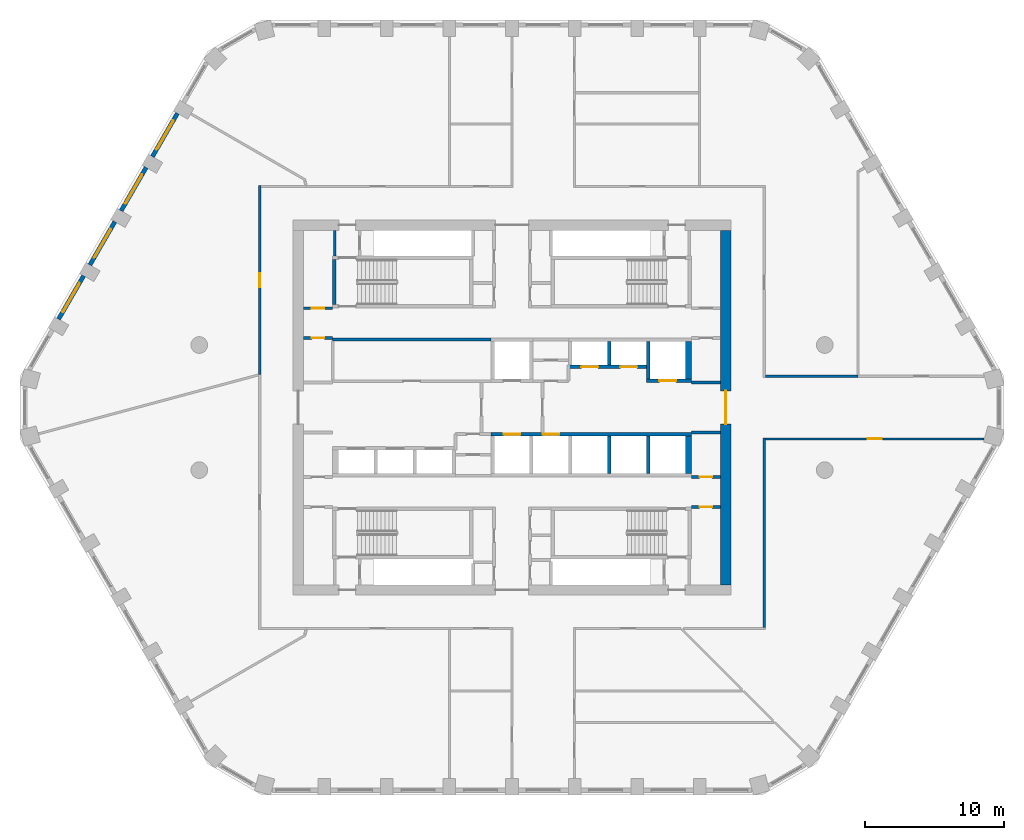
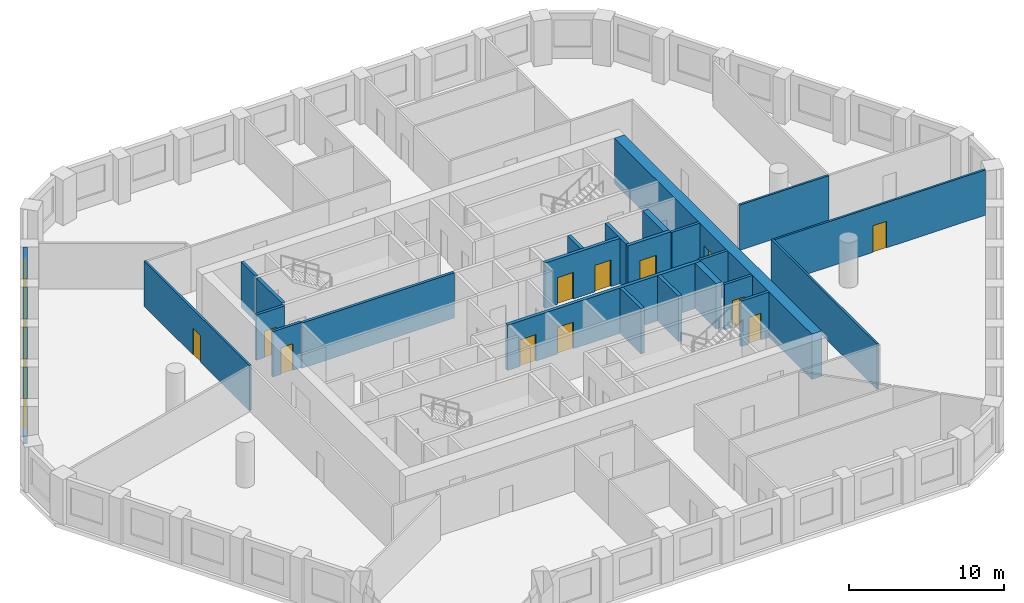
# One storey, part 5 of 9: 27 walls, 12 doors, 4 windows, 16 openings.
"""IFC4 building model written with IfcOpenShell, lengths in metres."""

from ifc_helpers import new_model, si_unit, direction, frame, frame_2d, origin, place, context, subcontext, project, spatial, polyline, rectangle, outline, extrude, material, layer, layer_set, type_object, element, fill, save


model = new_model("IFC4")

# Units and contexts
model_context = context("Model", 3, precision=1e-05, world=origin(), true_north=direction((0.0, 1.0)))
body_context = subcontext(model_context, "Body", "Model", "MODEL_VIEW")
ifc_project = project(units=[si_unit("LENGTHUNIT", "METRE"), si_unit("AREAUNIT", "SQUARE_METRE"), si_unit("VOLUMEUNIT", "CUBIC_METRE"), si_unit("PLANEANGLEUNIT", "RADIAN"), si_unit("MASSUNIT", "GRAM", prefix="KILO")], contexts=[model_context])

# Site, building, storey
site_placement = place(None, origin())
site = spatial("IfcSite", under=ifc_project, at=site_placement, CompositionType="ELEMENT")
building_placement = place(site_placement, origin())
building = spatial("IfcBuilding", under=site, at=building_placement, Name="Dhurran Vertical Campus", CompositionType="ELEMENT")
storey_placement = place(building_placement, frame((0.0, 0.0, 167.699951171875)))
storey = spatial("IfcBuildingStorey", under=building, at=storey_placement, Name="L41", CompositionType="ELEMENT", Elevation=167.699951171875)

# Wall, opening, window
ifc_material_1 = material(Name="Precast concrete C50/60", Category="concrete")
ifc_layer_1 = layer(ifc_material_1, 0.300048828125)
ifc_layer_set_1 = layer_set([ifc_layer_1], Name="Precast concrete C50/60")
wall_type_1 = type_object("IfcWallType", Name="Precast spandrel wall 300", PredefinedType="SOLIDWALL", material=ifc_layer_set_1)
wall_1_placement = place(storey_placement, frame((-24.0693359375, 21.17041015625, 0.0), z_axis=(0.0, 0.0, 1.0), x_axis=(-0.500027802648, -0.866009351323, 0.0)))
wall_1 = element("IfcWall", 1, at=wall_1_placement, inside=storey, type_object=wall_type_1, Name="EW1 L41.33", PredefinedType="SOLIDWALL", context=body_context, shape_type="SweptSolid", body=[
    extrude(rectangle(XDim=3.598876953125, YDim=0.300048828125, at=frame_2d((1.79931640625, 0.0))), origin(), (0.0, 0.0, 1.0), 3.574951171875),
])
opening_1_placement = place(wall_1_placement, frame((0.599609375, 0.0, 0.89990234375)))
opening_1 = element("IfcOpeningElement", 2, at=opening_1_placement, cuts=wall_1, Name="Opening WT1", PredefinedType="OPENING", context=body_context, shape_type="SweptSolid", body=[
    extrude(rectangle(XDim=2.39990234375, YDim=2.10009765625, at=frame_2d((1.199951171875, 1.050048828125))), frame((0.0, 0.159912109375, 0.0), z_axis=(0.0, -1.0, 0.0), x_axis=(1.0, 0.0, 0.0)), (0.0, 0.0, 1.0), 0.320068359375),
])
ifc_material_2 = material(Name="Aluminium frame with solar-control glass", Category="aluminium")
window_type = type_object("IfcWindowType", Name="Punched window 2400 x 2100", PartitioningType="SINGLE_PANEL", PredefinedType="WINDOW", material=ifc_material_2)
window_1_placement = place(opening_1_placement, origin())
window_1 = element("IfcWindow", 3, at=window_1_placement, inside=storey, type_object=window_type, Name="WT1 L41.33", OverallHeight=2.10009765625, OverallWidth=2.39990234375, PartitioningType="SINGLE_PANEL", PredefinedType="WINDOW", context=body_context, shape_type="SweptSolid", body=[
    extrude(rectangle(XDim=2.39990234375, YDim=2.10009765625, at=frame_2d((1.199951171875, 1.050048828125))), frame((0.0, 0.030029296875, 0.0), z_axis=(0.0, -1.0, 0.0), x_axis=(1.0, 0.0, 0.0)), (0.0, 0.0, 1.0), 0.06005859375),
])
fill(opening_1, window_1)

wall_2_placement = place(storey_placement, frame((-26.3193359375, 17.273193359375, 0.0), z_axis=(0.0, 0.0, 1.0), x_axis=(-0.500027802648, -0.866009351323, 0.0)))
wall_2 = element("IfcWall", 4, at=wall_2_placement, inside=storey, type_object=wall_type_1, Name="EW1 L41.34", PredefinedType="SOLIDWALL", context=body_context, shape_type="SweptSolid", body=[
    extrude(rectangle(XDim=3.598876953125, YDim=0.300048828125, at=frame_2d((1.79931640625, 0.0))), origin(), (0.0, 0.0, 1.0), 3.574951171875),
])
opening_2_placement = place(wall_2_placement, frame((0.599609375, 0.0, 0.89990234375)))
opening_2 = element("IfcOpeningElement", 5, at=opening_2_placement, cuts=wall_2, Name="Opening WT1", PredefinedType="OPENING", context=body_context, shape_type="SweptSolid", body=[
    extrude(rectangle(XDim=2.39990234375, YDim=2.10009765625, at=frame_2d((1.199951171875, 1.050048828125))), frame((0.0, 0.159912109375, 0.0), z_axis=(0.0, -1.0, 0.0), x_axis=(1.0, 0.0, 0.0)), (0.0, 0.0, 1.0), 0.320068359375),
])
window_2_placement = place(opening_2_placement, origin())
window_2 = element("IfcWindow", 6, at=window_2_placement, inside=storey, type_object=window_type, Name="WT1 L41.34", OverallHeight=2.10009765625, OverallWidth=2.39990234375, PartitioningType="SINGLE_PANEL", PredefinedType="WINDOW", context=body_context, shape_type="SweptSolid", body=[
    extrude(rectangle(XDim=2.39990234375, YDim=2.10009765625, at=frame_2d((1.199951171875, 1.050048828125))), frame((0.0, 0.030029296875, 0.0), z_axis=(0.0, -1.0, 0.0), x_axis=(1.0, 0.0, 0.0)), (0.0, 0.0, 1.0), 0.06005859375),
])
fill(opening_2, window_2)

wall_3_placement = place(storey_placement, frame((-28.5693359375, 13.376220703125, 0.0), z_axis=(0.0, 0.0, 1.0), x_axis=(-0.500027802648, -0.866009351323, 0.0)))
wall_3 = element("IfcWall", 7, at=wall_3_placement, inside=storey, type_object=wall_type_1, Name="EW1 L41.35", PredefinedType="SOLIDWALL", context=body_context, shape_type="SweptSolid", body=[
    extrude(rectangle(XDim=3.598876953125, YDim=0.300048828125, at=frame_2d((1.79931640625, 0.0))), origin(), (0.0, 0.0, 1.0), 3.574951171875),
])
opening_3_placement = place(wall_3_placement, frame((0.599609375, 0.0, 0.89990234375)))
opening_3 = element("IfcOpeningElement", 8, at=opening_3_placement, cuts=wall_3, Name="Opening WT1", PredefinedType="OPENING", context=body_context, shape_type="SweptSolid", body=[
    extrude(rectangle(XDim=2.39990234375, YDim=2.10009765625, at=frame_2d((1.199951171875, 1.050048828125))), frame((0.0, 0.159912109375, 0.0), z_axis=(0.0, -1.0, 0.0), x_axis=(1.0, 0.0, 0.0)), (0.0, 0.0, 1.0), 0.320068359375),
])
window_3_placement = place(opening_3_placement, origin())
window_3 = element("IfcWindow", 9, at=window_3_placement, inside=storey, type_object=window_type, Name="WT1 L41.35", OverallHeight=2.10009765625, OverallWidth=2.39990234375, PartitioningType="SINGLE_PANEL", PredefinedType="WINDOW", context=body_context, shape_type="SweptSolid", body=[
    extrude(rectangle(XDim=2.39990234375, YDim=2.10009765625, at=frame_2d((1.199951171875, 1.050048828125))), frame((0.0, 0.030029296875, 0.0), z_axis=(0.0, -1.0, 0.0), x_axis=(1.0, 0.0, 0.0)), (0.0, 0.0, 1.0), 0.06005859375),
])
fill(opening_3, window_3)

wall_4_placement = place(storey_placement, frame((-30.8193359375, 9.47900390625, 0.0), z_axis=(0.0, 0.0, 1.0), x_axis=(-0.500027802648, -0.866009351323, 0.0)))
wall_4 = element("IfcWall", 10, at=wall_4_placement, inside=storey, type_object=wall_type_1, Name="EW1 L41.36", PredefinedType="SOLIDWALL", context=body_context, shape_type="SweptSolid", body=[
    extrude(rectangle(XDim=3.598876953125, YDim=0.300048828125, at=frame_2d((1.79931640625, 0.0))), origin(), (0.0, 0.0, 1.0), 3.574951171875),
])
opening_4_placement = place(wall_4_placement, frame((0.599609375, 0.0, 0.89990234375)))
opening_4 = element("IfcOpeningElement", 11, at=opening_4_placement, cuts=wall_4, Name="Opening WT1", PredefinedType="OPENING", context=body_context, shape_type="SweptSolid", body=[
    extrude(rectangle(XDim=2.39990234375, YDim=2.10009765625, at=frame_2d((1.199951171875, 1.050048828125))), frame((0.0, 0.159912109375, 0.0), z_axis=(0.0, -1.0, 0.0), x_axis=(1.0, 0.0, 0.0)), (0.0, 0.0, 1.0), 0.320068359375),
])
window_4_placement = place(opening_4_placement, origin())
window_4 = element("IfcWindow", 12, at=window_4_placement, inside=storey, type_object=window_type, Name="WT1 L41.36", OverallHeight=2.10009765625, OverallWidth=2.39990234375, PartitioningType="SINGLE_PANEL", PredefinedType="WINDOW", context=body_context, shape_type="SweptSolid", body=[
    extrude(rectangle(XDim=2.39990234375, YDim=2.10009765625, at=frame_2d((1.199951171875, 1.050048828125))), frame((0.0, 0.030029296875, 0.0), z_axis=(0.0, -1.0, 0.0), x_axis=(1.0, 0.0, 0.0)), (0.0, 0.0, 1.0), 0.06005859375),
])
fill(opening_4, window_4)

# Wall, opening, door
ifc_material_3 = material(Name="Concrete C60/75", Category="concrete")
ifc_layer_2 = layer(ifc_material_3, 0.75)
ifc_layer_set_2 = layer_set([ifc_layer_2], Name="Concrete C60/75")
wall_type_2 = type_object("IfcWallType", Name="co-CORE-WALL-C1-750", PredefinedType="SHEAR", material=ifc_layer_set_2)
wall_5_placement = place(storey_placement, frame((15.375, -12.75, 0.0), z_axis=(0.0, 0.0, 1.0), x_axis=(0.0, 1.0, 0.0)))
wall_5 = element("IfcWall", 13, at=wall_5_placement, inside=storey, type_object=wall_type_2, Name="Core wall E L41", PredefinedType="SHEAR", context=body_context, shape_type="SweptSolid", body=[
    extrude(rectangle(XDim=25.5, YDim=0.75, at=frame_2d((12.75, 0.0))), origin(), (0.0, 0.0, 1.0), 3.574951171875),
])
opening_5_placement = place(wall_5_placement, frame((11.550048828125, 0.0, 0.0)))
opening_5 = element("IfcOpeningElement", 14, at=opening_5_placement, cuts=wall_5, Name="Opening CL2", PredefinedType="OPENING", context=body_context, shape_type="SweptSolid", body=[
    extrude(rectangle(XDim=2.39990234375, YDim=2.10009765625, at=frame_2d((1.199951171875, 1.050048828125))), frame((0.0, 0.385009765625, 0.0), z_axis=(0.0, -1.0, 0.0), x_axis=(1.0, 0.0, 0.0)), (0.0, 0.0, 1.0), 0.77001953125),
])
ifc_material_4 = material(Name="Fire-rated glazed door set")
door_type_1 = type_object("IfcDoorType", Name="co-D-LOBBY 2400x2100", OperationType="DOUBLE_DOOR_DOUBLE_SWING", PredefinedType="DOOR", material=ifc_material_4)
door_1_placement = place(opening_5_placement, origin())
door_1 = element("IfcDoor", 15, at=door_1_placement, inside=storey, type_object=door_type_1, Name="Lift lobby door E L41", OperationType="DOUBLE_DOOR_DOUBLE_SWING", OverallHeight=2.10009765625, OverallWidth=2.39990234375, PredefinedType="DOOR", context=body_context, shape_type="SweptSolid", body=[
    extrude(rectangle(XDim=2.39990234375, YDim=2.10009765625, at=frame_2d((1.199951171875, 1.050048828125))), frame((0.0, 0.02490234375, 0.0), z_axis=(0.0, -1.0, 0.0), x_axis=(1.0, 0.0, 0.0)), (0.0, 0.0, 1.0), 0.050048828125),
])
fill(opening_5, door_1)

# Wall
ifc_material_5 = material(Name="Fire-rated masonry blockwork", Category="masonry")
ifc_layer_3 = layer(ifc_material_5, 0.199951171875)
ifc_layer_set_3 = layer_set([ifc_layer_3], Name="Fire-rated masonry blockwork")
wall_type_3 = type_object("IfcWallType", Name="co-FIRE-PARTITION-200", PredefinedType="PARTITIONING", material=ifc_layer_set_3)
wall_6_placement = place(storey_placement, frame((-12.75, 10.89990234375, 0.0), z_axis=(0.0, 0.0, 1.0), x_axis=(0.0, 1.0, 0.0)))
element("IfcWall", 16, at=wall_6_placement, inside=storey, type_object=wall_type_3, Name="Core partition pass-ST1-o L41", PredefinedType="PARTITIONING", context=body_context, shape_type="SweptSolid", body=[
    extrude(rectangle(XDim=1.85009765625, YDim=0.199951171875, at=frame_2d((0.925048828125, 0.0))), origin(), (0.0, 0.0, 1.0), 3.574951171875),
])

# Wall, opening, door
wall_7_placement = place(storey_placement, frame((-15.0, 7.14990234375, 0.0), z_axis=(0.0, 0.0, 1.0), x_axis=(1.0, 0.0, 0.0)))
wall_7 = element("IfcWall", 17, at=wall_7_placement, inside=storey, type_object=wall_type_3, Name="Core partition en-NW-w L41", PredefinedType="PARTITIONING", context=body_context, shape_type="SweptSolid", body=[
    extrude(rectangle(XDim=2.10009765625, YDim=0.199951171875, at=frame_2d((1.050048828125, 0.0))), origin(), (0.0, 0.0, 1.0), 3.574951171875),
])
opening_6_placement = place(wall_7_placement, frame((0.60009765625, 0.0, 0.0)))
opening_6 = element("IfcOpeningElement", 18, at=opening_6_placement, cuts=wall_7, Name="Opening T12-C14", PredefinedType="OPENING", context=body_context, shape_type="SweptSolid", body=[
    extrude(rectangle(XDim=0.89990234375, YDim=2.10009765625, at=frame_2d((0.449951171875, 1.050048828125))), frame((0.0, 0.10986328125, 0.0), z_axis=(0.0, -1.0, 0.0), x_axis=(1.0, 0.0, 0.0)), (0.0, 0.0, 1.0), 0.219970703125),
])
ifc_material_6 = material(Name="Fire-rated timber door set", Category="wood")
door_type_2 = type_object("IfcDoorType", Name="co-D-ROOM 900x2100", OperationType="SINGLE_SWING_LEFT", PredefinedType="DOOR", material=ifc_material_6)
door_2_placement = place(opening_6_placement, origin())
door_2 = element("IfcDoor", 19, at=door_2_placement, inside=storey, type_object=door_type_2, Name="Plant room door L41", OperationType="SINGLE_SWING_LEFT", OverallHeight=2.10009765625, OverallWidth=0.89990234375, PredefinedType="DOOR", context=body_context, shape_type="SweptSolid", body=[
    extrude(rectangle(XDim=0.89990234375, YDim=2.10009765625, at=frame_2d((0.449951171875, 1.050048828125))), frame((0.0, 0.02490234375, 0.0), z_axis=(0.0, -1.0, 0.0), x_axis=(1.0, 0.0, 0.0)), (0.0, 0.0, 1.0), 0.050048828125),
])
fill(opening_6, door_2)

wall_8_placement = place(storey_placement, frame((-15.0, 5.0, 0.0), z_axis=(0.0, 0.0, 1.0), x_axis=(1.0, 0.0, 0.0)))
wall_8 = element("IfcWall", 20, at=wall_8_placement, inside=storey, type_object=wall_type_3, Name="Core partition es-NW-w L41", PredefinedType="PARTITIONING", context=body_context, shape_type="SweptSolid", body=[
    extrude(rectangle(XDim=2.10009765625, YDim=0.199951171875, at=frame_2d((1.050048828125, 0.0))), origin(), (0.0, 0.0, 1.0), 3.574951171875),
])
opening_7_placement = place(wall_8_placement, frame((0.60009765625, 0.0, 0.0)))
opening_7 = element("IfcOpeningElement", 21, at=opening_7_placement, cuts=wall_8, Name="Opening T12-C15", PredefinedType="OPENING", context=body_context, shape_type="SweptSolid", body=[
    extrude(rectangle(XDim=0.89990234375, YDim=2.10009765625, at=frame_2d((0.449951171875, 1.050048828125))), frame((0.0, 0.10986328125, 0.0), z_axis=(0.0, -1.0, 0.0), x_axis=(1.0, 0.0, 0.0)), (0.0, 0.0, 1.0), 0.219970703125),
])
door_3_placement = place(opening_7_placement, origin())
door_3 = element("IfcDoor", 22, at=door_3_placement, inside=storey, type_object=door_type_2, Name="Pantry door L41", OperationType="SINGLE_SWING_LEFT", OverallHeight=2.10009765625, OverallWidth=0.89990234375, PredefinedType="DOOR", context=body_context, shape_type="SweptSolid", body=[
    extrude(rectangle(XDim=0.89990234375, YDim=2.10009765625, at=frame_2d((0.449951171875, 1.050048828125))), frame((0.0, 0.02490234375, 0.0), z_axis=(0.0, -1.0, 0.0), x_axis=(1.0, 0.0, 0.0)), (0.0, 0.0, 1.0), 0.050048828125),
])
fill(opening_7, door_3)

# Wall
wall_9_placement = place(storey_placement, frame((12.89990234375, 1.800048828125, 0.0), z_axis=(0.0, 0.0, 1.0), x_axis=(1.0, 0.0, 0.0)))
element("IfcWall", 23, at=wall_9_placement, inside=storey, type_object=wall_type_3, Name="Core partition es-NE-l L41", PredefinedType="PARTITIONING", context=body_context, shape_type="SweptSolid", body=[
    extrude(rectangle(XDim=2.10009765625, YDim=0.199951171875, at=frame_2d((1.050048828125, 0.0))), origin(), (0.0, 0.0, 1.0), 3.574951171875),
])

# Wall, opening, door
wall_10_placement = place(storey_placement, frame((12.89990234375, -7.14990234375, 0.0), z_axis=(0.0, 0.0, 1.0), x_axis=(1.0, 0.0, 0.0)))
wall_10 = element("IfcWall", 24, at=wall_10_placement, inside=storey, type_object=wall_type_3, Name="Core partition en-SE-w L41", PredefinedType="PARTITIONING", context=body_context, shape_type="SweptSolid", body=[
    extrude(rectangle(XDim=2.10009765625, YDim=0.199951171875, at=frame_2d((1.050048828125, 0.0))), origin(), (0.0, 0.0, 1.0), 3.574951171875),
])
opening_8_placement = place(wall_10_placement, frame((0.60009765625, 0.0, 0.0)))
opening_8 = element("IfcOpeningElement", 25, at=opening_8_placement, cuts=wall_10, Name="Opening T12-C20", PredefinedType="OPENING", context=body_context, shape_type="SweptSolid", body=[
    extrude(rectangle(XDim=0.89990234375, YDim=2.10009765625, at=frame_2d((0.449951171875, 1.050048828125))), frame((0.0, 0.10986328125, 0.0), z_axis=(0.0, -1.0, 0.0), x_axis=(1.0, 0.0, 0.0)), (0.0, 0.0, 1.0), 0.219970703125),
])
door_4_placement = place(opening_8_placement, origin())
door_4 = element("IfcDoor", 26, at=door_4_placement, inside=storey, type_object=door_type_2, Name="Communications room door L41", OperationType="SINGLE_SWING_LEFT", OverallHeight=2.10009765625, OverallWidth=0.89990234375, PredefinedType="DOOR", context=body_context, shape_type="SweptSolid", body=[
    extrude(rectangle(XDim=0.89990234375, YDim=2.10009765625, at=frame_2d((0.449951171875, 1.050048828125))), frame((0.0, 0.02490234375, 0.0), z_axis=(0.0, -1.0, 0.0), x_axis=(1.0, 0.0, 0.0)), (0.0, 0.0, 1.0), 0.050048828125),
])
fill(opening_8, door_4)

wall_11_placement = place(storey_placement, frame((12.89990234375, -5.0, 0.0), z_axis=(0.0, 0.0, 1.0), x_axis=(1.0, 0.0, 0.0)))
wall_11 = element("IfcWall", 27, at=wall_11_placement, inside=storey, type_object=wall_type_3, Name="Core partition es-SE-w L41", PredefinedType="PARTITIONING", context=body_context, shape_type="SweptSolid", body=[
    extrude(rectangle(XDim=2.10009765625, YDim=0.199951171875, at=frame_2d((1.050048828125, 0.0))), origin(), (0.0, 0.0, 1.0), 3.574951171875),
])
opening_9_placement = place(wall_11_placement, frame((0.60009765625, 0.0, 0.0)))
opening_9 = element("IfcOpeningElement", 28, at=opening_9_placement, cuts=wall_11, Name="Opening T12-C21", PredefinedType="OPENING", context=body_context, shape_type="SweptSolid", body=[
    extrude(rectangle(XDim=0.89990234375, YDim=2.10009765625, at=frame_2d((0.449951171875, 1.050048828125))), frame((0.0, 0.10986328125, 0.0), z_axis=(0.0, -1.0, 0.0), x_axis=(1.0, 0.0, 0.0)), (0.0, 0.0, 1.0), 0.219970703125),
])
door_5_placement = place(opening_9_placement, origin())
door_5 = element("IfcDoor", 29, at=door_5_placement, inside=storey, type_object=door_type_2, Name="Cleaner's store door L41", OperationType="SINGLE_SWING_LEFT", OverallHeight=2.10009765625, OverallWidth=0.89990234375, PredefinedType="DOOR", context=body_context, shape_type="SweptSolid", body=[
    extrude(rectangle(XDim=0.89990234375, YDim=2.10009765625, at=frame_2d((0.449951171875, 1.050048828125))), frame((0.0, 0.02490234375, 0.0), z_axis=(0.0, -1.0, 0.0), x_axis=(1.0, 0.0, 0.0)), (0.0, 0.0, 1.0), 0.050048828125),
])
fill(opening_9, door_5)

# Walls
wall_12_placement = place(storey_placement, frame((12.89990234375, -1.800048828125, 0.0), z_axis=(0.0, 0.0, 1.0), x_axis=(1.0, 0.0, 0.0)))
element("IfcWall", 30, at=wall_12_placement, inside=storey, type_object=wall_type_3, Name="Core partition es-SE-l L41", PredefinedType="PARTITIONING", context=body_context, shape_type="SweptSolid", body=[
    extrude(rectangle(XDim=2.10009765625, YDim=0.199951171875, at=frame_2d((1.050048828125, 0.0))), origin(), (0.0, 0.0, 1.0), 3.574951171875),
])
wall_13_placement = place(storey_placement, frame((-12.89990234375, 4.89990234375, 0.0), z_axis=(0.0, 0.0, 1.0), x_axis=(1.0, 0.0, 0.0)))
element("IfcWall", 31, at=wall_13_placement, inside=storey, type_object=wall_type_3, Name="Core partition fr-N0-b L41", PredefinedType="PARTITIONING", context=body_context, shape_type="SweptSolid", body=[
    extrude(rectangle(XDim=11.375, YDim=0.199951171875, at=frame_2d((5.6875, 0.0))), origin(), (0.0, 0.0, 1.0), 3.574951171875),
])

# Wall, openings, doors
ifc_material_7 = material(Name="Concrete C50/60", Category="concrete")
ifc_layer_4 = layer(ifc_material_7, 0.25)
ifc_layer_set_4 = layer_set([ifc_layer_4], Name="Concrete C50/60")
wall_type_4 = type_object("IfcWallType", Name="co-SHAFT-FRONT-250", PredefinedType="SHEAR", material=ifc_layer_set_4)
wall_14_placement = place(storey_placement, frame((4.074951171875, 2.925048828125, 0.0), z_axis=(0.0, 0.0, 1.0), x_axis=(1.0, 0.0, 0.0)))
wall_14 = element("IfcWall", 32, at=wall_14_placement, inside=storey, type_object=wall_type_4, Name="Lift landing wall N L41", PredefinedType="SHEAR", context=body_context, shape_type="SweptSolid", body=[
    extrude(rectangle(XDim=5.85009765625, YDim=0.25, at=frame_2d((2.925048828125, 0.0))), origin(), (0.0, 0.0, 1.0), 3.574951171875),
])
opening_10_placement = place(wall_14_placement, frame((0.925048828125, 0.0, 0.0)))
opening_10 = element("IfcOpeningElement", 33, at=opening_10_placement, cuts=wall_14, Name="Opening LD", PredefinedType="OPENING", context=body_context, shape_type="SweptSolid", body=[
    extrude(rectangle(XDim=1.199951171875, YDim=2.10009765625, at=frame_2d((0.60009765625, 1.050048828125))), frame((0.0, 0.135009765625, 0.0), z_axis=(0.0, -1.0, 0.0), x_axis=(1.0, 0.0, 0.0)), (0.0, 0.0, 1.0), 0.27001953125),
])
opening_11_placement = place(wall_14_placement, frame((3.72509765625, 0.0, 0.0)))
opening_11 = element("IfcOpeningElement", 34, at=opening_11_placement, cuts=wall_14, Name="Opening LD", PredefinedType="OPENING", context=body_context, shape_type="SweptSolid", body=[
    extrude(rectangle(XDim=1.199951171875, YDim=2.10009765625, at=frame_2d((0.60009765625, 1.050048828125))), frame((0.0, 0.135009765625, 0.0), z_axis=(0.0, -1.0, 0.0), x_axis=(1.0, 0.0, 0.0)), (0.0, 0.0, 1.0), 0.27001953125),
])
ifc_material_8 = material(Name="Stainless steel landing door", Category="steel")
door_type_3 = type_object("IfcDoorType", Name="co-D-LANDING 1200x2100", OperationType="DOUBLE_DOOR_SLIDING", PredefinedType="DOOR", material=ifc_material_8)
door_6_placement = place(opening_10_placement, origin())
door_6 = element("IfcDoor", 35, at=door_6_placement, inside=storey, type_object=door_type_3, Name="Landing door MR1 L41", OperationType="DOUBLE_DOOR_SLIDING", OverallHeight=2.10009765625, OverallWidth=1.199951171875, PredefinedType="DOOR", context=body_context, shape_type="SweptSolid", body=[
    extrude(rectangle(XDim=1.199951171875, YDim=2.10009765625, at=frame_2d((0.60009765625, 1.050048828125))), frame((0.0, 0.02490234375, 0.0), z_axis=(0.0, -1.0, 0.0), x_axis=(1.0, 0.0, 0.0)), (0.0, 0.0, 1.0), 0.050048828125),
])
fill(opening_10, door_6)
door_7_placement = place(opening_11_placement, origin())
door_7 = element("IfcDoor", 36, at=door_7_placement, inside=storey, type_object=door_type_3, Name="Landing door MR2 L41", OperationType="DOUBLE_DOOR_SLIDING", OverallHeight=2.10009765625, OverallWidth=1.199951171875, PredefinedType="DOOR", context=body_context, shape_type="SweptSolid", body=[
    extrude(rectangle(XDim=1.199951171875, YDim=2.10009765625, at=frame_2d((0.60009765625, 1.050048828125))), frame((0.0, 0.02490234375, 0.0), z_axis=(0.0, -1.0, 0.0), x_axis=(1.0, 0.0, 0.0)), (0.0, 0.0, 1.0), 0.050048828125),
])
fill(opening_11, door_7)

# Wall, opening, door
wall_15_placement = place(storey_placement, frame((9.675048828125, 1.925048828125, 0.0), z_axis=(0.0, 0.0, 1.0), x_axis=(1.0, 0.0, 0.0)))
wall_15 = element("IfcWall", 37, at=wall_15_placement, inside=storey, type_object=wall_type_4, Name="Lift landing wall N L41", PredefinedType="SHEAR", context=body_context, shape_type="SweptSolid", body=[
    extrude(rectangle(XDim=3.224853515625, YDim=0.25, at=frame_2d((1.6123046875, 0.0))), origin(), (0.0, 0.0, 1.0), 3.574951171875),
])
opening_12_placement = place(wall_15_placement, frame((0.925048828125, 0.0, 0.0)))
opening_12 = element("IfcOpeningElement", 38, at=opening_12_placement, cuts=wall_15, Name="Opening LD", PredefinedType="OPENING", context=body_context, shape_type="SweptSolid", body=[
    extrude(rectangle(XDim=1.199951171875, YDim=2.10009765625, at=frame_2d((0.60009765625, 1.050048828125))), frame((0.0, 0.135009765625, 0.0), z_axis=(0.0, -1.0, 0.0), x_axis=(1.0, 0.0, 0.0)), (0.0, 0.0, 1.0), 0.27001953125),
])
door_8_placement = place(opening_12_placement, origin())
door_8 = element("IfcDoor", 39, at=door_8_placement, inside=storey, type_object=door_type_3, Name="Landing door SV2 L41", OperationType="DOUBLE_DOOR_SLIDING", OverallHeight=2.10009765625, OverallWidth=1.199951171875, PredefinedType="DOOR", context=body_context, shape_type="SweptSolid", body=[
    extrude(rectangle(XDim=1.199951171875, YDim=2.10009765625, at=frame_2d((0.60009765625, 1.050048828125))), frame((0.0, 0.02490234375, 0.0), z_axis=(0.0, -1.0, 0.0), x_axis=(1.0, 0.0, 0.0)), (0.0, 0.0, 1.0), 0.050048828125),
])
fill(opening_12, door_8)

# Wall, openings, doors
wall_16_placement = place(storey_placement, frame((-1.52490234375, -1.925048828125, 0.0), z_axis=(0.0, 0.0, 1.0), x_axis=(1.0, 0.0, 0.0)))
wall_16 = element("IfcWall", 40, at=wall_16_placement, inside=storey, type_object=wall_type_4, Name="Lift landing wall S L41", PredefinedType="SHEAR", context=body_context, shape_type="SweptSolid", body=[
    extrude(rectangle(XDim=14.4248046875, YDim=0.25, at=frame_2d((7.21240234375, 0.0))), origin(), (0.0, 0.0, 1.0), 3.574951171875),
])
opening_13_placement = place(wall_16_placement, frame((0.925048828125, 0.0, 0.0)))
opening_13 = element("IfcOpeningElement", 41, at=opening_13_placement, cuts=wall_16, Name="Opening LD", PredefinedType="OPENING", context=body_context, shape_type="SweptSolid", body=[
    extrude(rectangle(XDim=1.199951171875, YDim=2.10009765625, at=frame_2d((0.60009765625, 1.050048828125))), frame((0.0, 0.135009765625, 0.0), z_axis=(0.0, -1.0, 0.0), x_axis=(1.0, 0.0, 0.0)), (0.0, 0.0, 1.0), 0.27001953125),
])
opening_14_placement = place(wall_16_placement, frame((3.72509765625, 0.0, 0.0)))
opening_14 = element("IfcOpeningElement", 42, at=opening_14_placement, cuts=wall_16, Name="Opening LD", PredefinedType="OPENING", context=body_context, shape_type="SweptSolid", body=[
    extrude(rectangle(XDim=1.199951171875, YDim=2.10009765625, at=frame_2d((0.60009765625, 1.050048828125))), frame((0.0, 0.135009765625, 0.0), z_axis=(0.0, -1.0, 0.0), x_axis=(1.0, 0.0, 0.0)), (0.0, 0.0, 1.0), 0.27001953125),
])
door_9_placement = place(opening_13_placement, origin())
door_9 = element("IfcDoor", 43, at=door_9_placement, inside=storey, type_object=door_type_3, Name="Landing door FF2 L41", OperationType="DOUBLE_DOOR_SLIDING", OverallHeight=2.10009765625, OverallWidth=1.199951171875, PredefinedType="DOOR", context=body_context, shape_type="SweptSolid", body=[
    extrude(rectangle(XDim=1.199951171875, YDim=2.10009765625, at=frame_2d((0.60009765625, 1.050048828125))), frame((0.0, 0.02490234375, 0.0), z_axis=(0.0, -1.0, 0.0), x_axis=(1.0, 0.0, 0.0)), (0.0, 0.0, 1.0), 0.050048828125),
])
fill(opening_13, door_9)
door_10_placement = place(opening_14_placement, origin())
door_10 = element("IfcDoor", 44, at=door_10_placement, inside=storey, type_object=door_type_3, Name="Landing door SV1 L41", OperationType="DOUBLE_DOOR_SLIDING", OverallHeight=2.10009765625, OverallWidth=1.199951171875, PredefinedType="DOOR", context=body_context, shape_type="SweptSolid", body=[
    extrude(rectangle(XDim=1.199951171875, YDim=2.10009765625, at=frame_2d((0.60009765625, 1.050048828125))), frame((0.0, 0.02490234375, 0.0), z_axis=(0.0, -1.0, 0.0), x_axis=(1.0, 0.0, 0.0)), (0.0, 0.0, 1.0), 0.050048828125),
])
fill(opening_14, door_10)

# Walls
ifc_material_9 = material(Name="Concrete C50/60", Category="concrete")
ifc_layer_5 = layer(ifc_material_9, 0.25)
ifc_layer_set_5 = layer_set([ifc_layer_5], Name="Concrete C50/60")
wall_type_5 = type_object("IfcWallType", Name="co-SHAFT-MASS-250", PredefinedType="SHEAR", material=ifc_layer_set_5)
wall_17_placement = place(storey_placement, origin())
element("IfcWall", 45, at=wall_17_placement, inside=storey, type_object=wall_type_5, Name="Lift shaft wall N L41 5", PredefinedType="SHEAR", context=body_context, shape_type="SweptSolid", body=[
    extrude(outline(polyline([(9.675048828125, 2.050048828125), (9.925048828125, 2.050048828125), (9.925048828125, 4.75), (9.675048828125, 4.75), (9.675048828125, 2.050048828125)])), origin(), (0.0, 0.0, 1.0), 3.574951171875),
])
wall_18_placement = place(storey_placement, origin())
element("IfcWall", 46, at=wall_18_placement, inside=storey, type_object=wall_type_5, Name="Lift shaft wall N L41 6", PredefinedType="SHEAR", context=body_context, shape_type="SweptSolid", body=[
    extrude(outline(polyline([(12.47509765625, 2.050048828125), (12.89990234375, 2.050048828125), (12.89990234375, 4.75), (12.47509765625, 4.75), (12.47509765625, 2.050048828125)])), origin(), (0.0, 0.0, 1.0), 3.574951171875),
])
wall_19_placement = place(storey_placement, origin())
element("IfcWall", 47, at=wall_19_placement, inside=storey, type_object=wall_type_5, Name="Lift shaft wall N L41 8", PredefinedType="SHEAR", context=body_context, shape_type="SweptSolid", body=[
    extrude(outline(polyline([(6.875, 3.050048828125), (7.125, 3.050048828125), (7.125, 4.75), (6.875, 4.75), (6.875, 3.050048828125)])), origin(), (0.0, 0.0, 1.0), 3.574951171875),
])
wall_20_placement = place(storey_placement, origin())
element("IfcWall", 48, at=wall_20_placement, inside=storey, type_object=wall_type_5, Name="Lift shaft wall S L41 10", PredefinedType="SHEAR", context=body_context, shape_type="SweptSolid", body=[
    extrude(outline(polyline([(6.875, -4.75), (7.125, -4.75), (7.125, -2.050048828125), (6.875, -2.050048828125), (6.875, -4.75)])), origin(), (0.0, 0.0, 1.0), 3.574951171875),
])
wall_21_placement = place(storey_placement, origin())
element("IfcWall", 49, at=wall_21_placement, inside=storey, type_object=wall_type_5, Name="Lift shaft wall S L41 11", PredefinedType="SHEAR", context=body_context, shape_type="SweptSolid", body=[
    extrude(outline(polyline([(9.675048828125, -4.75), (9.925048828125, -4.75), (9.925048828125, -2.050048828125), (9.675048828125, -2.050048828125), (9.675048828125, -4.75)])), origin(), (0.0, 0.0, 1.0), 3.574951171875),
])
wall_22_placement = place(storey_placement, origin())
element("IfcWall", 50, at=wall_22_placement, inside=storey, type_object=wall_type_5, Name="Lift shaft wall S L41 12", PredefinedType="SHEAR", context=body_context, shape_type="SweptSolid", body=[
    extrude(outline(polyline([(12.47509765625, -4.75), (12.89990234375, -4.75), (12.89990234375, -2.050048828125), (12.47509765625, -2.050048828125), (12.47509765625, -4.75)])), origin(), (0.0, 0.0, 1.0), 3.574951171875),
])
ifc_material_10 = material(Name="Concrete C40/50", Category="concrete")
ifc_layer_6 = layer(ifc_material_10, 0.25)
ifc_layer_set_6 = layer_set([ifc_layer_6], Name="Concrete C40/50")
wall_type_6 = type_object("IfcWallType", Name="co-STAIR-WALL-250", PredefinedType="SHEAR", material=ifc_layer_set_6)
wall_23_placement = place(storey_placement, frame((-12.77490234375, 7.39990234375, 0.0), z_axis=(0.0, 0.0, 1.0), x_axis=(0.0, 1.0, 0.0)))
element("IfcWall", 51, at=wall_23_placement, inside=storey, type_object=wall_type_6, Name="Stair ST1 enclosure wall L41", PredefinedType="SHEAR", context=body_context, shape_type="SweptSolid", body=[
    extrude(rectangle(XDim=3.25, YDim=0.25, at=frame_2d((1.625, 0.0))), origin(), (0.0, 0.0, 1.0), 3.574951171875),
])

# Wall, opening, door
ifc_material_11 = material(Name="Gypsum board corridor wall on steel studs", Category="steel")
ifc_layer_7 = layer(ifc_material_11, 0.14990234375)
ifc_layer_set_7 = layer_set([ifc_layer_7], Name="Gypsum board corridor wall on steel studs")
wall_type_7 = type_object("IfcWallType", Name="fl-CW-150 corridor wall", PredefinedType="PARTITIONING", material=ifc_layer_set_7)
wall_24_placement = place(storey_placement, frame((-18.14990234375, 15.97509765625, 0.0), z_axis=(0.0, 0.0, 1.0), x_axis=(0.0, -1.0, 0.0)))
wall_24 = element("IfcWall", 52, at=wall_24_placement, inside=storey, type_object=wall_type_7, Name="Partition 41-06", PredefinedType="PARTITIONING", context=body_context, shape_type="SweptSolid", body=[
    extrude(rectangle(XDim=13.60400390625, YDim=0.14990234375, at=frame_2d((6.802001953125, 0.0))), origin(), (0.0, 0.0, 1.0), 3.574951171875),
])
opening_15_placement = place(wall_24_placement, frame((6.302001953125, 0.0, 0.0)))
opening_15 = element("IfcOpeningElement", 53, at=opening_15_placement, cuts=wall_24, Name="Opening T12.01", PredefinedType="OPENING", context=body_context, shape_type="SweptSolid", body=[
    extrude(rectangle(XDim=1.0, YDim=2.10009765625, at=frame_2d((0.5, 1.050048828125))), frame((0.0, 0.0849609375, 0.0), z_axis=(0.0, -1.0, 0.0), x_axis=(1.0, 0.0, 0.0)), (0.0, 0.0, 1.0), 0.169921875),
])
ifc_material_12 = material(Name="Solid-core timber door set, fire-rated", Category="wood")
door_type_4 = type_object("IfcDoorType", Name="fl-D-1000x2100", OperationType="SINGLE_SWING_LEFT", PredefinedType="DOOR", material=ifc_material_12)
door_11_placement = place(opening_15_placement, origin())
door_11 = element("IfcDoor", 54, at=door_11_placement, inside=storey, type_object=door_type_4, Name="Door 41.01", OperationType="SINGLE_SWING_LEFT", OverallHeight=2.10009765625, OverallWidth=1.0, PredefinedType="DOOR", context=body_context, shape_type="SweptSolid", body=[
    extrude(rectangle(XDim=1.0, YDim=2.10009765625, at=frame_2d((0.5, 1.050048828125))), frame((0.0, 0.02490234375, 0.0), z_axis=(0.0, -1.0, 0.0), x_axis=(1.0, 0.0, 0.0)), (0.0, 0.0, 1.0), 0.050048828125),
])
fill(opening_15, door_11)

# Wall
wall_25_placement = place(storey_placement, frame((18.14990234375, -15.824951171875, 0.0), z_axis=(0.0, 0.0, 1.0), x_axis=(0.0, 1.0, 0.0)))
element("IfcWall", 55, at=wall_25_placement, inside=storey, type_object=wall_type_7, Name="Partition 41-43", PredefinedType="PARTITIONING", context=body_context, shape_type="SweptSolid", body=[
    extrude(rectangle(XDim=13.64990234375, YDim=0.14990234375, at=frame_2d((6.824951171875, 0.0))), origin(), (0.0, 0.0, 1.0), 3.574951171875),
])

# Wall, opening, door
wall_26_placement = place(storey_placement, frame((33.9677734375, -2.25, 0.0), z_axis=(0.0, 0.0, 1.0), x_axis=(-1.0, 0.0, 0.0)))
wall_26 = element("IfcWall", 56, at=wall_26_placement, inside=storey, type_object=wall_type_7, Name="Partition 41-44", PredefinedType="PARTITIONING", context=body_context, shape_type="SweptSolid", body=[
    extrude(rectangle(XDim=15.74267578125, YDim=0.14990234375, at=frame_2d((7.871337890625, 0.0))), origin(), (0.0, 0.0, 1.0), 3.574951171875),
])
opening_16_placement = place(wall_26_placement, frame((7.371337890625, 0.0, 0.0)))
opening_16 = element("IfcOpeningElement", 57, at=opening_16_placement, cuts=wall_26, Name="Opening T12.16", PredefinedType="OPENING", context=body_context, shape_type="SweptSolid", body=[
    extrude(rectangle(XDim=1.0, YDim=2.10009765625, at=frame_2d((0.5, 1.050048828125))), frame((0.0, 0.0849609375, 0.0), z_axis=(0.0, -1.0, 0.0), x_axis=(1.0, 0.0, 0.0)), (0.0, 0.0, 1.0), 0.169921875),
])
door_12_placement = place(opening_16_placement, origin())
door_12 = element("IfcDoor", 58, at=door_12_placement, inside=storey, type_object=door_type_4, Name="Door 41.16", OperationType="SINGLE_SWING_LEFT", OverallHeight=2.10009765625, OverallWidth=1.0, PredefinedType="DOOR", context=body_context, shape_type="SweptSolid", body=[
    extrude(rectangle(XDim=1.0, YDim=2.10009765625, at=frame_2d((0.5, 1.050048828125))), frame((0.0, 0.02490234375, 0.0), z_axis=(0.0, -1.0, 0.0), x_axis=(1.0, 0.0, 0.0)), (0.0, 0.0, 1.0), 0.050048828125),
])
fill(opening_16, door_12)

# Wall
wall_27_placement = place(storey_placement, frame((18.22509765625, 2.25, 0.0), z_axis=(0.0, 0.0, 1.0), x_axis=(1.0, 0.0, 0.0)))
element("IfcWall", 59, at=wall_27_placement, inside=storey, type_object=wall_type_7, Name="Partition 41-46", PredefinedType="PARTITIONING", context=body_context, shape_type="SweptSolid", body=[
    extrude(rectangle(XDim=6.6748046875, YDim=0.14990234375, at=frame_2d((3.33740234375, 0.0))), origin(), (0.0, 0.0, 1.0), 3.574951171875),
])

save(model, "model.ifc")
